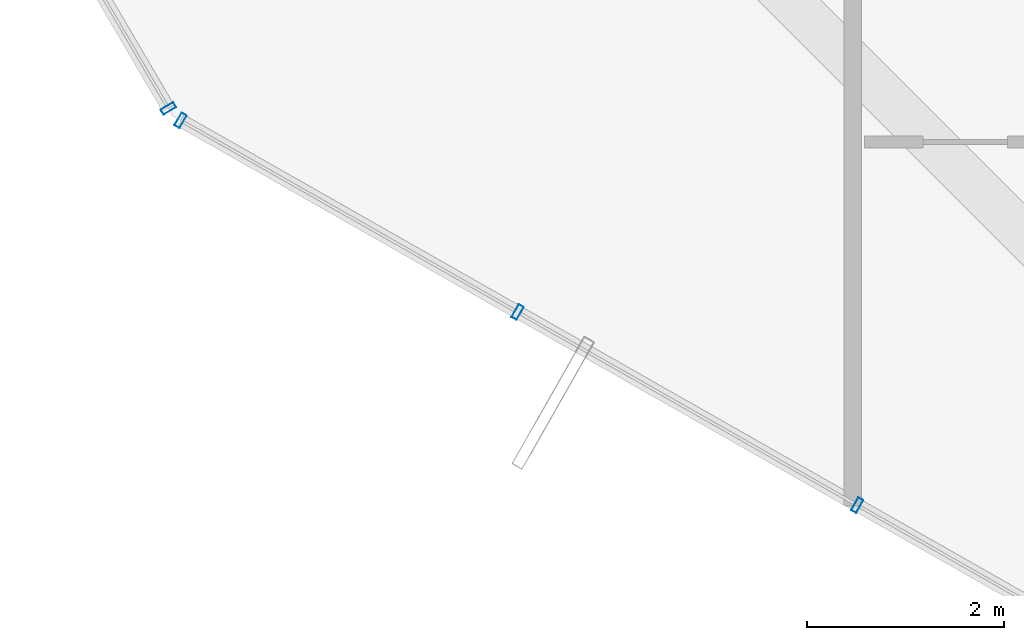
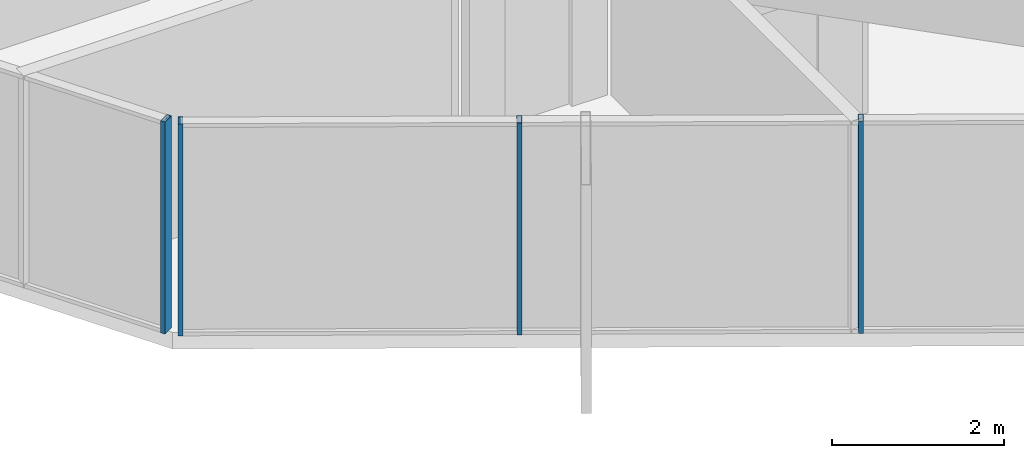
# One storey, part 2 of 31: 4 members, 2 elements without a shape of their own.
"""IFC4 building model written with IfcOpenShell, lengths in metres."""

from ifc_helpers import new_model, si_unit, direction, frame, origin, origin_2d, place, context, subcontext, project, spatial, hollow_rectangle, extrude, source, transform, mapped, material, layer, layer_set, material_profile, profile_set, type_object, element, aggregate, save


model = new_model("IFC4")

# Units and contexts
model_context = context("Model", 3, precision=1e-05, world=origin(), true_north=direction((0.0, 1.0)))
body_context = subcontext(model_context, "Body", "Model", "MODEL_VIEW")
ifc_project = project(units=[si_unit("LENGTHUNIT", "METRE"), si_unit("AREAUNIT", "SQUARE_METRE"), si_unit("VOLUMEUNIT", "CUBIC_METRE"), si_unit("PLANEANGLEUNIT", "RADIAN"), si_unit("MASSUNIT", "GRAM", prefix="KILO")], contexts=[model_context])

# Site, building, storey
site_placement = place(None, origin())
site = spatial("IfcSite", under=ifc_project, at=site_placement, CompositionType="ELEMENT")
building_placement = place(site_placement, origin())
building = spatial("IfcBuilding", under=site, at=building_placement, Name="Veraguas Prism Commons", CompositionType="ELEMENT")
storey_placement = place(building_placement, frame((0.0, 0.0, 204.85009765625)))
storey = spatial("IfcBuildingStorey", under=building, at=storey_placement, Name="L58", CompositionType="ELEMENT", Elevation=204.85009765625)

# Curtain wall, members
ifc_material = material(Name="Anodised aluminium EN AW-6063 T6", Category="aluminium")
ifc_layer = layer(ifc_material, 0.14990234375, Name="Unitised Flush Curtain Wall Zone 3", Category="aluminium")
ifc_layer_set = layer_set([ifc_layer], Name="Anodised aluminium EN AW-6063 T6")
curtain_wall_type = type_object("IfcCurtainWallType", Name="Unitised Flush Curtain Wall Zone 3", PredefinedType="NOTDEFINED", material=ifc_layer_set)
curtain_wall_1_placement = place(storey_placement, origin())
curtain_wall_1 = element("IfcCurtainWall", 1, at=curtain_wall_1_placement, inside=storey, type_object=curtain_wall_type, Name="Tower Facade Curtain Wall L58-F4", PredefinedType="NOTDEFINED")
ifc_material_profile = material_profile(ifc_material, hollow_rectangle(XDim=0.06005859375, YDim=0.14990234375, WallThickness=0.0029296875, at=origin_2d()), Name="AL60X150X3")
ifc_profile_set = profile_set([ifc_material_profile], Name="Anodised aluminium EN AW-6063 T6")
member_type = type_object("IfcMemberType", Name="Curtain Wall Mullion Upper AL 60x150x3", PredefinedType="MULLION", material=ifc_profile_set)
shared_shape = source(origin(), body_context, "Body", "SweptSolid", [
    extrude(hollow_rectangle(XDim=0.06005859375, YDim=0.14990234375, WallThickness=0.0029296875, at=origin_2d()), origin(), (0.0, 0.0, 1.0), 3.014892578125),
])
member_1_placement = place(storey_placement, frame((8.36083984375, 12.51904296875, 0.0), z_axis=(0.0, 0.0, 1.0), x_axis=(0.869323320918, -0.494243830218, 0.0)))
member_1 = element("IfcMember", 2, at=member_1_placement, type_object=member_type, Name="CW-Z3 Mullion 1", PredefinedType="MULLION", context=body_context, shape_type="MappedRepresentation", body=[
    mapped(shared_shape, transform((0.0, 0.0, 0.0), scale=1.0)),
])
member_2_placement = place(storey_placement, frame((11.790771484375, 10.569091796875, 0.0), z_axis=(0.0, 0.0, 1.0), x_axis=(0.869323320918, -0.494243830218, 0.0)))
member_2 = element("IfcMember", 3, at=member_2_placement, type_object=member_type, Name="CW-Z3 Mullion 2", PredefinedType="MULLION", context=body_context, shape_type="MappedRepresentation", body=[
    mapped(shared_shape, transform((0.0, 0.0, 0.0), scale=1.0)),
])
member_3_placement = place(storey_placement, frame((15.246826171875, 8.60400390625, 0.0), z_axis=(0.0, 0.0, 1.0), x_axis=(0.869323320918, -0.494243830218, 0.0)))
member_3 = element("IfcMember", 4, at=member_3_placement, type_object=member_type, Name="CW-Z3 Mullion 3", PredefinedType="MULLION", context=body_context, shape_type="MappedRepresentation", body=[
    mapped(shared_shape, transform((0.0, 0.0, 0.0), scale=1.0)),
])
aggregate(curtain_wall_1, [member_1, member_2, member_3])

# Curtain wall, member
curtain_wall_2_placement = place(storey_placement, origin())
curtain_wall_2 = element("IfcCurtainWall", 5, at=curtain_wall_2_placement, inside=storey, type_object=curtain_wall_type, Name="Chamfer Curtain Wall L58-C4", PredefinedType="NOTDEFINED")
member_4_placement = place(storey_placement, frame((8.237060546875, 12.641357421875, 0.0), z_axis=(0.0, 0.0, 1.0), x_axis=(0.505762772493, -0.862672601837, 0.0)))
member_4 = element("IfcMember", 6, at=member_4_placement, type_object=member_type, Name="CW-Z3 Mullion 2", PredefinedType="MULLION", context=body_context, shape_type="MappedRepresentation", body=[
    mapped(shared_shape, transform((0.0, 0.0, 0.0), scale=1.0)),
])
aggregate(curtain_wall_2, [member_4])

save(model, "model.ifc")
